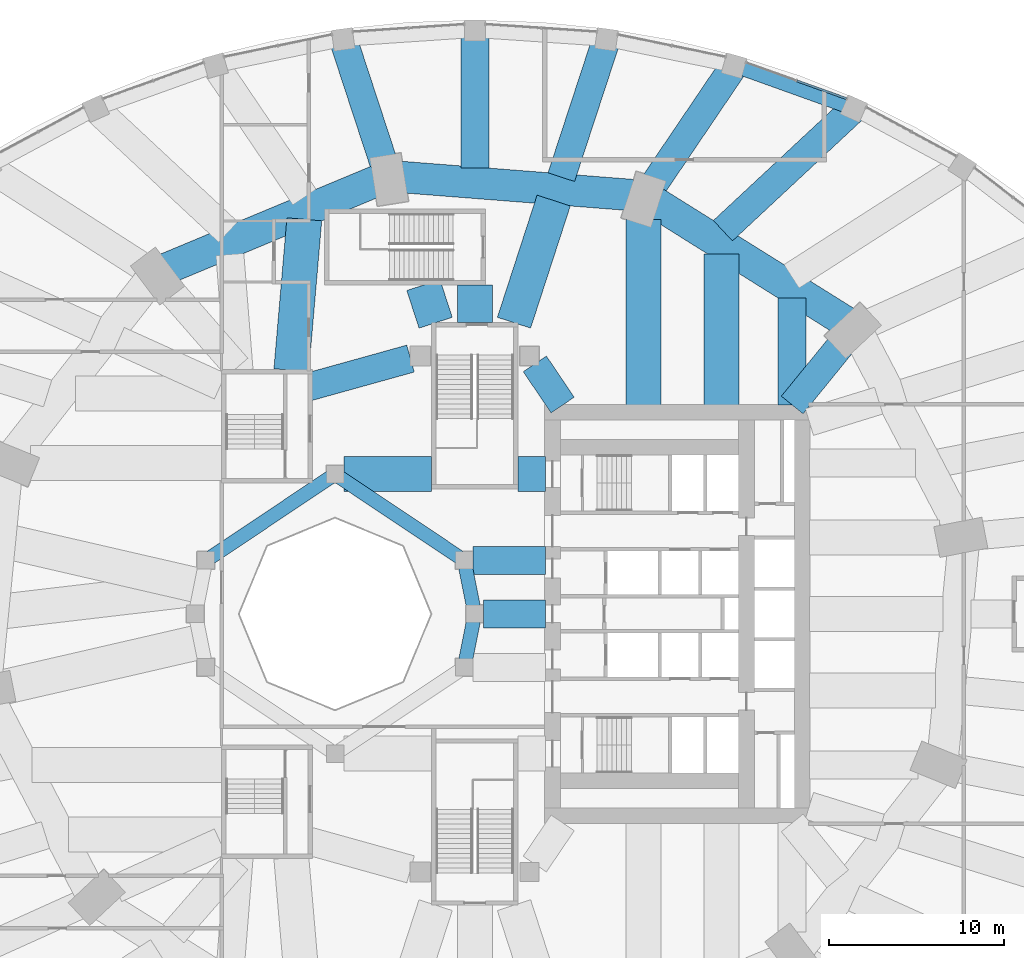
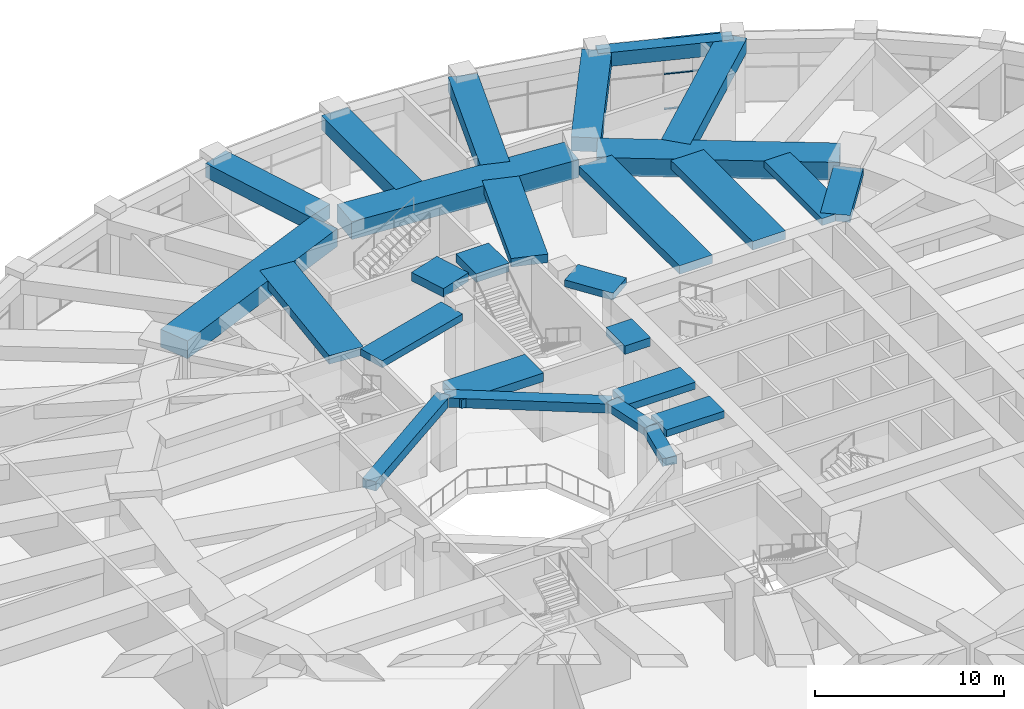
# One storey, part 11 of 32: 27 beams, 3 members, 1 element without a shape of its own.
"""IFC4 building model written with IfcOpenShell, lengths in metres."""

from ifc_helpers import new_model, si_unit, direction, frame, origin, origin_2d, place, context, subcontext, project, spatial, rectangle, extrude, material, material_profile, profile_set, type_object, element, aggregate, save


model = new_model("IFC4")

# Units and contexts
model_context = context("Model", 3, precision=1e-05, world=origin(), true_north=direction((0.0, 1.0)))
body_context = subcontext(model_context, "Body", "Model", "MODEL_VIEW")
ifc_project = project(units=[si_unit("LENGTHUNIT", "METRE"), si_unit("AREAUNIT", "SQUARE_METRE"), si_unit("VOLUMEUNIT", "CUBIC_METRE"), si_unit("PLANEANGLEUNIT", "RADIAN"), si_unit("MASSUNIT", "GRAM", prefix="KILO")], contexts=[model_context])

# Site, building, storey
site_placement = place(None, origin())
site = spatial("IfcSite", under=ifc_project, at=site_placement, CompositionType="ELEMENT")
building_placement = place(site_placement, origin())
building = spatial("IfcBuilding", under=site, at=building_placement, Name="Taillehof Tower", CompositionType="ELEMENT")
storey_placement = place(building_placement, frame((0.0, 0.0, 7.5)))
storey = spatial("IfcBuildingStorey", under=building, at=storey_placement, Name="L01", CompositionType="ELEMENT", Elevation=7.5)

# Beams
ifc_material_1 = material(Name="Concrete C50/60", Category="concrete")
ifc_material_profile_1 = material_profile(ifc_material_1, rectangle(XDim=0.800048828125, YDim=0.5, at=origin_2d()), Name="RC 800x500")
ifc_profile_set_1 = profile_set([ifc_material_profile_1], Name="Concrete C50/60")
beam_type_1 = type_object("IfcBeamType", Name="Atrium ring beam C50/60 800x500", PredefinedType="BEAM", material=ifc_profile_set_1)
for number, where, z_axis, x_axis, name in (
    (1, (0.0, 0.0, 4.340087890625), (-0.195063155143, 0.980790683839, 0.0), (-0.980790683839, -0.195063155143, 0.0), "Atrium ring beam AB01"),
    (2, (-0.60888671875, -3.0615234375, 4.340087890625), (0.195063155143, 0.980790683839, 0.0), (-0.980790683839, 0.195063155143, 0.0), "Atrium ring beam AB08"),
):
    element("IfcBeam", number, at=place(storey_placement, frame(where, z_axis=z_axis, x_axis=x_axis)), inside=storey, type_object=beam_type_1, Name=name, PredefinedType="BEAM", context=body_context, shape_type="SweptSolid", body=[
        extrude(rectangle(XDim=0.800048828125, YDim=0.5, at=origin_2d()), origin(), (0.0, 0.0, 1.0), 3.12158203125),
    ])
ifc_material_2 = material(Name="Concrete C50/60", Category="concrete")
ifc_material_profile_2 = material_profile(ifc_material_2, rectangle(XDim=0.800048828125, YDim=0.60009765625, at=origin_2d()), Name="RC 800x600")
ifc_profile_set_2 = profile_set([ifc_material_profile_2], Name="Concrete C50/60")
beam_type_2 = type_object("IfcBeamType", Name="Atrium ring beam C50/60 800x600", PredefinedType="BEAM", material=ifc_profile_set_2)
for number, where, z_axis, x_axis, name in (
    (3, (-0.60888671875, 3.0615234375, 4.2900390625), (-0.831475195687, 0.555561876804, 0.0), (-0.555561876804, -0.831475195687, 0.0), "Atrium ring beam AB02"),
    (4, (-8.0, 8.0, 4.2900390625), (-0.831475195687, -0.555561876804, 0.0), (0.555561876804, -0.831475195687, 0.0), "Atrium ring beam AB03"),
):
    element("IfcBeam", number, at=place(storey_placement, frame(where, z_axis=z_axis, x_axis=x_axis)), inside=storey, type_object=beam_type_2, Name=name, PredefinedType="BEAM", context=body_context, shape_type="SweptSolid", body=[
        extrude(rectangle(XDim=0.800048828125, YDim=0.60009765625, at=origin_2d()), origin(), (0.0, 0.0, 1.0), 8.88916015625),
    ])
ifc_material_3 = material(Name="Concrete C50/60", Category="concrete")
ifc_material_profile_3 = material_profile(ifc_material_3, rectangle(XDim=0.800048828125, YDim=0.89990234375, at=origin_2d()), Name="RC 800x900")
ifc_profile_set_3 = profile_set([ifc_material_profile_3], Name="Concrete C50/60")
beam_type_3 = type_object("IfcBeamType", Name="Podium edge beam C50/60 800x900", PredefinedType="BEAM", material=ifc_profile_set_3)
beam_1_placement = place(storey_placement, frame((21.699951171875, 28.92529296875, 4.139892578125), z_axis=(-0.941227460002, 0.337773398209, 0.0), x_axis=(-0.337773398209, -0.941227460002, 0.0)))
element("IfcBeam", 5, at=beam_1_placement, inside=storey, type_object=beam_type_3, Name="Podium edge beam PB07", PredefinedType="BEAM", context=body_context, shape_type="SweptSolid", body=[
    extrude(rectangle(XDim=0.800048828125, YDim=0.89990234375, at=origin_2d()), origin(), (0.0, 0.0, 1.0), 7.284423828125),
])
ifc_material_4 = material(Name="Concrete C50/60", Category="concrete")
ifc_material_profile_4 = material_profile(ifc_material_4, rectangle(XDim=1.60009765625, YDim=0.89990234375, at=origin_2d()), Name="RC 1600x900")
ifc_profile_set_4 = profile_set([ifc_material_profile_4], Name="Concrete C50/60")
beam_type_4 = type_object("IfcBeamType", Name="Podium radial beam C50/60 1600x900", PredefinedType="BEAM", material=ifc_profile_set_4)
beam_2_placement = place(storey_placement, frame((21.699951171875, 28.92529296875, 4.139892578125), z_axis=(-0.731628479701, -0.681703577583, 0.0), x_axis=(0.681703577583, -0.731628479701, 0.0)))
element("IfcBeam", 6, at=beam_2_placement, inside=storey, type_object=beam_type_4, Name="Podium radial beam PR07", PredefinedType="BEAM", context=body_context, shape_type="SweptSolid", body=[
    extrude(rectangle(XDim=1.60009765625, YDim=0.89990234375, at=origin_2d()), origin(), (0.0, 0.0, 1.0), 10.249755859375),
])
beam_3_placement = place(storey_placement, frame((14.84375, 31.3857421875, 4.139892578125), z_axis=(-0.560381534031, -0.828234590147, 0.0), x_axis=(0.828234590147, -0.560381534031, 0.0)))
element("IfcBeam", 7, at=beam_3_placement, inside=storey, type_object=beam_type_4, Name="Podium radial beam PR08", PredefinedType="BEAM", context=body_context, shape_type="SweptSolid", body=[
    extrude(rectangle(XDim=1.60009765625, YDim=0.89990234375, at=origin_2d()), origin(), (0.0, 0.0, 1.0), 8.123046875),
])
beam_4_placement = place(storey_placement, frame((7.536376953125, 32.892578125, 4.139892578125), z_axis=(-0.311468393355, -0.950256512706, 0.0), x_axis=(0.950256512706, -0.311468393355, 0.0)))
element("IfcBeam", 8, at=beam_4_placement, inside=storey, type_object=beam_type_4, Name="Podium radial beam PR09", PredefinedType="BEAM", context=body_context, shape_type="SweptSolid", body=[
    extrude(rectangle(XDim=1.60009765625, YDim=0.89990234375, at=origin_2d()), origin(), (0.0, 0.0, 1.0), 8.301513671875),
])
beam_5_placement = place(storey_placement, frame((0.0, 33.39990234375, 4.139892578125), z_axis=(0.0, -1.0, 0.0), x_axis=(1.0, 0.0, 0.0)))
element("IfcBeam", 9, at=beam_5_placement, inside=storey, type_object=beam_type_4, Name="Podium radial beam PR10", PredefinedType="BEAM", context=body_context, shape_type="SweptSolid", body=[
    extrude(rectangle(XDim=1.60009765625, YDim=0.89990234375, at=origin_2d()), origin(), (0.0, 0.0, 1.0), 7.878173828125),
])
beam_6_placement = place(storey_placement, frame((-7.536376953125, 32.892578125, 4.139892578125), z_axis=(0.311469218388, -0.950256242283, 0.0), x_axis=(0.950256242283, 0.311469218388, 0.0)))
element("IfcBeam", 10, at=beam_6_placement, inside=storey, type_object=beam_type_4, Name="Podium radial beam PR11", PredefinedType="BEAM", context=body_context, shape_type="SweptSolid", body=[
    extrude(rectangle(XDim=1.60009765625, YDim=0.89990234375, at=origin_2d()), origin(), (0.0, 0.0, 1.0), 7.40966796875),
])

# Curtain wall, members
ifc_material_5 = material(Name="Aluminium curtain wall with Clear low-emissivity double glazing", Category="aluminium")
curtain_wall_type = type_object("IfcCurtainWallType", Name="Podium window wall curtain wall", PredefinedType="USERDEFINED", material=ifc_material_5)
curtain_wall_placement = place(storey_placement, origin())
curtain_wall = element("IfcCurtainWall", 11, at=curtain_wall_placement, inside=storey, type_object=curtain_wall_type, Name="Podium window wall L01 bay 7", ObjectType="WINDOW WALL", PredefinedType="USERDEFINED")
ifc_material_6 = material(Name="Aluminium transom", Category="aluminium")
ifc_material_profile_5 = material_profile(ifc_material_6, rectangle(XDim=0.1201171875, YDim=0.06005859375, at=origin_2d()), Name="AL 120x60")
ifc_profile_set_5 = profile_set([ifc_material_profile_5], Name="Aluminium transom")
member_type = type_object("IfcMemberType", Name="Podium window wall transom 120x60", PredefinedType="USERDEFINED", material=ifc_profile_set_5)
member_1_placement = place(storey_placement, frame((21.26806640625, 29.50341796875, 0.030029296875), z_axis=(-0.941215836147, 0.337805787081, 0.0), x_axis=(-0.337805787081, -0.941215836147, 0.0)))
member_1 = element("IfcMember", 12, at=member_1_placement, type_object=member_type, Name="CT207 transom 1.1", ObjectType="TRANSOM", PredefinedType="USERDEFINED", context=body_context, shape_type="SweptSolid", body=[
    extrude(rectangle(XDim=0.1201171875, YDim=0.06005859375, at=origin_2d()), origin(), (0.0, 0.0, 1.0), 3.009521484375),
])
member_2_placement = place(storey_placement, frame((21.26806640625, 29.50341796875, 2.294921875), z_axis=(-0.941215836147, 0.337805787081, 0.0), x_axis=(-0.337805787081, -0.941215836147, 0.0)))
member_2 = element("IfcMember", 13, at=member_2_placement, type_object=member_type, Name="CT207 transom 1.2", ObjectType="TRANSOM", PredefinedType="USERDEFINED", context=body_context, shape_type="SweptSolid", body=[
    extrude(rectangle(XDim=0.1201171875, YDim=0.06005859375, at=origin_2d()), origin(), (0.0, 0.0, 1.0), 3.009521484375),
])
member_3_placement = place(storey_placement, frame((21.26806640625, 29.50341796875, 4.56005859375), z_axis=(-0.941215836147, 0.337805787081, 0.0), x_axis=(-0.337805787081, -0.941215836147, 0.0)))
member_3 = element("IfcMember", 14, at=member_3_placement, type_object=member_type, Name="CT207 transom 1.3", ObjectType="TRANSOM", PredefinedType="USERDEFINED", context=body_context, shape_type="SweptSolid", body=[
    extrude(rectangle(XDim=0.1201171875, YDim=0.06005859375, at=origin_2d()), origin(), (0.0, 0.0, 1.0), 3.009521484375),
])
aggregate(curtain_wall, [member_1, member_2, member_3])

# Beams
ifc_material_7 = material(Name="Concrete C50/60", Category="concrete")
ifc_material_profile_6 = material_profile(ifc_material_7, rectangle(XDim=1.60009765625, YDim=0.449951171875, at=origin_2d()), Name="RC 1600x450")
ifc_profile_set_6 = profile_set([ifc_material_profile_6], Name="Concrete C50/60")
beam_type_5 = type_object("IfcBeamType", Name="Radial band beam C50/60 1600x450", PredefinedType="BEAM", material=ifc_profile_set_6)
beam_7_placement = place(storey_placement, frame((20.943115234375, 15.37255859375, 4.364990234375), z_axis=(-0.630991767535, -0.77578952642, 0.0), x_axis=(0.77578952642, -0.630991767535, 0.0)))
element("IfcBeam", 15, at=beam_7_placement, inside=storey, type_object=beam_type_5, Name="Radial band beam RB05", PredefinedType="BEAM", context=body_context, shape_type="SweptSolid", body=[
    extrude(rectangle(XDim=1.60009765625, YDim=0.449951171875, at=origin_2d()), origin(), (0.0, 0.0, 1.0), 4.397216796875),
])
beam_8_placement = place(storey_placement, frame((18.15869140625, 18.08740234375, 4.364990234375), z_axis=(0.0, -1.0, 0.0), x_axis=(1.0, 0.0, 0.0)))
element("IfcBeam", 16, at=beam_8_placement, inside=storey, type_object=beam_type_5, Name="Radial band beam RB06", PredefinedType="BEAM", context=body_context, shape_type="SweptSolid", body=[
    extrude(rectangle(XDim=1.60009765625, YDim=0.449951171875, at=origin_2d()), origin(), (0.0, 0.0, 1.0), 6.137451171875),
])
beam_9_placement = place(storey_placement, frame((0.5, 0.0, 4.364990234375), z_axis=(1.0, 0.0, 0.0), x_axis=(0.0, 1.0, 0.0)))
element("IfcBeam", 17, at=beam_9_placement, inside=storey, type_object=beam_type_5, Name="Inner band beam IB101", PredefinedType="BEAM", context=body_context, shape_type="SweptSolid", body=[
    extrude(rectangle(XDim=1.60009765625, YDim=0.449951171875, at=origin_2d()), origin(), (0.0, 0.0, 1.0), 3.550048828125),
])
beam_10_placement = place(storey_placement, frame((-0.10888671875, 3.0615234375, 4.364990234375), z_axis=(1.0, 0.0, 0.0), x_axis=(0.0, 1.0, 0.0)))
element("IfcBeam", 18, at=beam_10_placement, inside=storey, type_object=beam_type_5, Name="Inner band beam IB102", PredefinedType="BEAM", context=body_context, shape_type="SweptSolid", body=[
    extrude(rectangle(XDim=1.60009765625, YDim=0.449951171875, at=origin_2d()), origin(), (0.0, 0.0, 1.0), 4.158935546875),
])
beam_11_placement = place(storey_placement, frame((3.433837890625, 14.31640625, 4.364990234375), z_axis=(0.560112043398, -0.828416862962, 0.0), x_axis=(0.828416862962, 0.560112043398, 0.0)))
element("IfcBeam", 19, at=beam_11_placement, inside=storey, type_object=beam_type_5, Name="Inner band beam IB205", PredefinedType="BEAM", context=body_context, shape_type="SweptSolid", body=[
    extrude(rectangle(XDim=1.60009765625, YDim=0.449951171875, at=origin_2d()), origin(), (0.0, 0.0, 1.0), 2.84619140625),
])
beam_12_placement = place(storey_placement, frame((-3.6796875, 14.6181640625, 4.364990234375), z_axis=(-0.963453939049, -0.267874051248, 0.0), x_axis=(0.267874051248, -0.963453939049, 0.0)))
element("IfcBeam", 20, at=beam_12_placement, inside=storey, type_object=beam_type_5, Name="Inner band beam IB206", PredefinedType="BEAM", context=body_context, shape_type="SweptSolid", body=[
    extrude(rectangle(XDim=1.60009765625, YDim=0.449951171875, at=origin_2d()), origin(), (0.0, 0.0, 1.0), 6.07177734375),
])
ifc_material_8 = material(Name="Concrete C50/60", Category="concrete")
ifc_material_profile_7 = material_profile(ifc_material_8, rectangle(XDim=2.0, YDim=0.550048828125, at=origin_2d()), Name="RC 2000x550")
ifc_profile_set_7 = profile_set([ifc_material_profile_7], Name="Concrete C50/60")
beam_type_6 = type_object("IfcBeamType", Name="Radial band beam C50/60 2000x550", PredefinedType="BEAM", material=ifc_profile_set_7)
beam_13_placement = place(storey_placement, frame((14.125, 20.59375, 4.31494140625), z_axis=(0.0, -1.0, 0.0), x_axis=(1.0, 0.0, 0.0)))
element("IfcBeam", 21, at=beam_13_placement, inside=storey, type_object=beam_type_6, Name="Radial band beam RB07", PredefinedType="BEAM", context=body_context, shape_type="SweptSolid", body=[
    extrude(rectangle(XDim=2.0, YDim=0.550048828125, at=origin_2d()), origin(), (0.0, 0.0, 1.0), 8.643798828125),
])
beam_14_placement = place(storey_placement, frame((9.662109375, 22.582763671875, 4.31494140625), z_axis=(0.0, -1.0, 0.0), x_axis=(1.0, 0.0, 0.0)))
element("IfcBeam", 22, at=beam_14_placement, inside=storey, type_object=beam_type_6, Name="Radial band beam RB08", PredefinedType="BEAM", context=body_context, shape_type="SweptSolid", body=[
    extrude(rectangle(XDim=2.0, YDim=0.550048828125, at=origin_2d()), origin(), (0.0, 0.0, 1.0), 10.6328125),
])
beam_15_placement = place(storey_placement, frame((4.515380859375, 23.665771484375, 4.31494140625), z_axis=(-0.308999765566, -0.951062114102, 0.0), x_axis=(0.951062114102, -0.308999765566, 0.0)))
element("IfcBeam", 23, at=beam_15_placement, inside=storey, type_object=beam_type_6, Name="Radial band beam RB09", PredefinedType="BEAM", context=body_context, shape_type="SweptSolid", body=[
    extrude(rectangle(XDim=2.0, YDim=0.550048828125, at=origin_2d()), origin(), (0.0, 0.0, 1.0), 7.355712890625),
])
beam_16_placement = place(storey_placement, frame((0.0, 18.824951171875, 4.31494140625), z_axis=(0.0, -1.0, 0.0), x_axis=(1.0, 0.0, 0.0)))
element("IfcBeam", 24, at=beam_16_placement, inside=storey, type_object=beam_type_6, Name="Radial band beam RB10", PredefinedType="BEAM", context=body_context, shape_type="SweptSolid", body=[
    extrude(rectangle(XDim=2.0, YDim=0.550048828125, at=origin_2d()), origin(), (0.0, 0.0, 1.0), 2.155029296875),
])
beam_17_placement = place(storey_placement, frame((-2.942626953125, 18.824951171875, 4.31494140625), z_axis=(0.309010546837, -0.951058611203, 0.0), x_axis=(0.951058611203, 0.309010546837, 0.0)))
element("IfcBeam", 25, at=beam_17_placement, inside=storey, type_object=beam_type_6, Name="Radial band beam RB11", PredefinedType="BEAM", context=body_context, shape_type="SweptSolid", body=[
    extrude(rectangle(XDim=2.0, YDim=0.550048828125, at=origin_2d()), origin(), (0.0, 0.0, 1.0), 2.265869140625),
])
beam_18_placement = place(storey_placement, frame((-9.760009765625, 22.590576171875, 4.31494140625), z_axis=(-0.085833899747, -0.996309460787, 0.0), x_axis=(0.996309460787, -0.085833899747, 0.0)))
element("IfcBeam", 26, at=beam_18_placement, inside=storey, type_object=beam_type_6, Name="Radial band beam RB12", PredefinedType="BEAM", context=body_context, shape_type="SweptSolid", body=[
    extrude(rectangle(XDim=2.0, YDim=0.550048828125, at=origin_2d()), origin(), (0.0, 0.0, 1.0), 8.67236328125),
])
beam_19_placement = place(storey_placement, frame((-7.5, 8.0, 4.31494140625), z_axis=(1.0, 0.0, 0.0), x_axis=(0.0, 1.0, 0.0)))
element("IfcBeam", 27, at=beam_19_placement, inside=storey, type_object=beam_type_6, Name="Inner band beam IB105", PredefinedType="BEAM", context=body_context, shape_type="SweptSolid", body=[
    extrude(rectangle(XDim=2.0, YDim=0.550048828125, at=origin_2d()), origin(), (0.0, 0.0, 1.0), 5.02490234375),
])
beam_20_placement = place(storey_placement, frame((2.47509765625, 8.0, 4.31494140625), z_axis=(1.0, 0.0, 0.0), x_axis=(0.0, 1.0, 0.0)))
element("IfcBeam", 28, at=beam_20_placement, inside=storey, type_object=beam_type_6, Name="Inner band beam IB105", PredefinedType="BEAM", context=body_context, shape_type="SweptSolid", body=[
    extrude(rectangle(XDim=2.0, YDim=0.550048828125, at=origin_2d()), origin(), (0.0, 0.0, 1.0), 1.574951171875),
])
ifc_material_9 = material(Name="Concrete C50/60", Category="concrete")
ifc_material_profile_8 = material_profile(ifc_material_9, rectangle(XDim=1.800048828125, YDim=1.14990234375, at=origin_2d()), Name="RC 1800x1150")
ifc_profile_set_8 = profile_set([ifc_material_profile_8], Name="Concrete C50/60")
beam_type_7 = type_object("IfcBeamType", Name="Ring floor beam C50/60 1800x1150", PredefinedType="BEAM", material=ifc_profile_set_8)
beam_21_placement = place(storey_placement, frame((21.207275390625, 16.737548828125, 4.014892578125), z_axis=(-0.847670289151, 0.530523402774, 0.0), x_axis=(-0.530523402774, -0.847670289151, 0.0)))
element("IfcBeam", 29, at=beam_21_placement, inside=storey, type_object=beam_type_7, Name="Ring floor beam RG02", PredefinedType="BEAM", context=body_context, shape_type="SweptSolid", body=[
    extrude(rectangle(XDim=1.800048828125, YDim=1.14990234375, at=origin_2d()), origin(), (0.0, 0.0, 1.0), 12.843505859375),
])
beam_22_placement = place(storey_placement, frame((9.024169921875, 23.977783203125, 4.014892578125), z_axis=(-0.996957372869, 0.0779486798, 0.0), x_axis=(-0.0779486798, -0.996957372869, 0.0)))
element("IfcBeam", 30, at=beam_22_placement, inside=storey, type_object=beam_type_7, Name="Ring floor beam RG03", PredefinedType="BEAM", context=body_context, shape_type="SweptSolid", body=[
    extrude(rectangle(XDim=1.800048828125, YDim=1.14990234375, at=origin_2d()), origin(), (0.0, 0.0, 1.0), 13.298828125),
])
beam_23_placement = place(storey_placement, frame((-5.588134765625, 24.798583984375, 4.014892578125), z_axis=(-0.923036542488, -0.384712283703, 0.0), x_axis=(0.384712283703, -0.923036542488, 0.0)))
element("IfcBeam", 31, at=beam_23_placement, inside=storey, type_object=beam_type_7, Name="Ring floor beam RG04", PredefinedType="BEAM", context=body_context, shape_type="SweptSolid", body=[
    extrude(rectangle(XDim=1.800048828125, YDim=1.14990234375, at=origin_2d()), origin(), (0.0, 0.0, 1.0), 13.0595703125),
])

save(model, "model.ifc")
